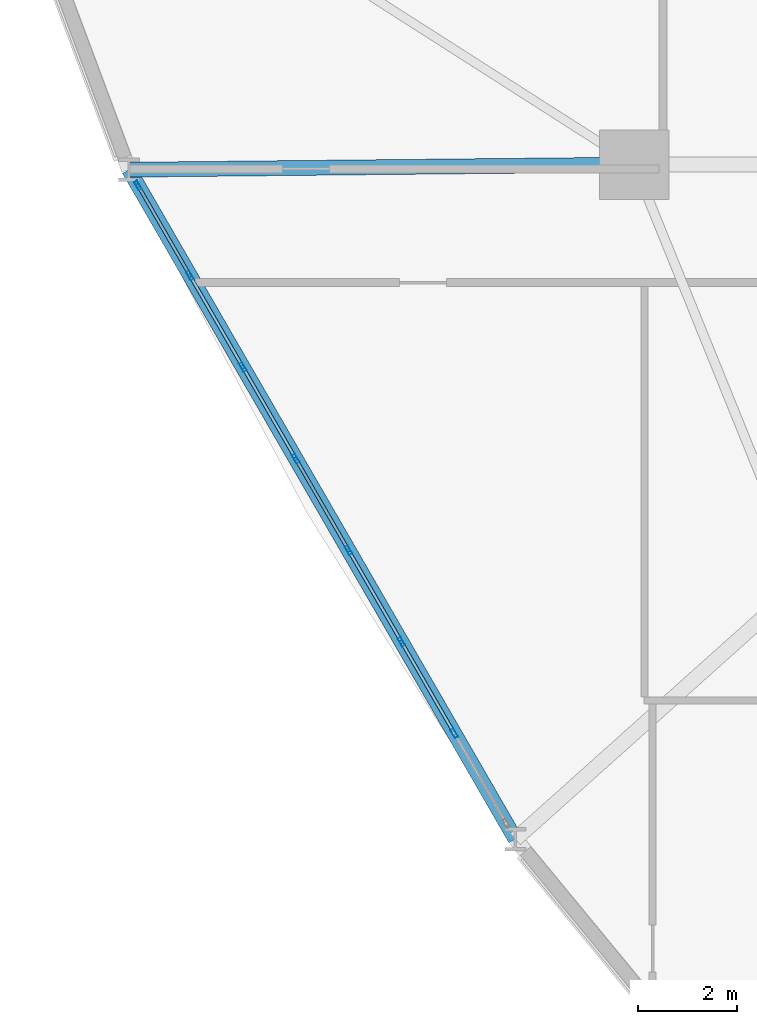
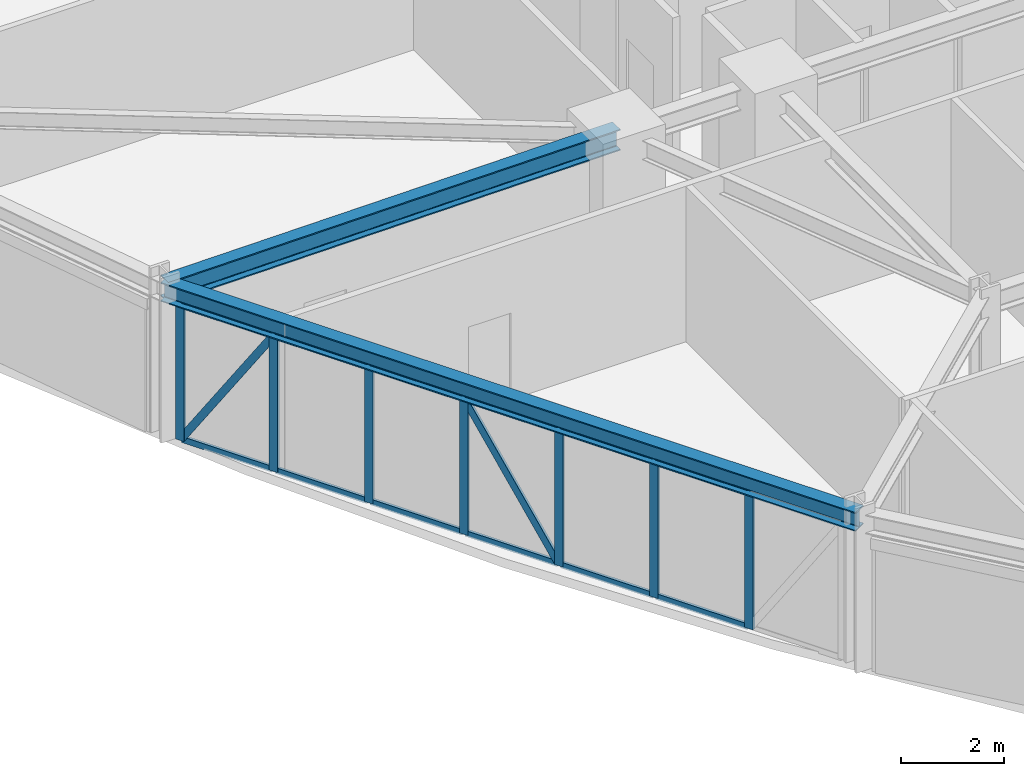
# One storey, part 4 of 22: 21 members, 2 beams, 1 element without a shape of its own.
"""IFC4 building model written with IfcOpenShell, lengths in metres."""

from ifc_helpers import new_model, si_unit, derived_unit, direction, frame, origin, origin_2d, place, context, subcontext, project, spatial, hollow_rectangle, i_section, extrude, source, transform, mapped, material, layer, layer_set, material_profile, profile_set, type_object, element, aggregate, save


model = new_model("IFC4")

# Units and contexts
model_context = context("Model", 3, precision=1e-05, world=origin(), true_north=direction((0.0, 1.0)))
body_context = subcontext(model_context, "Body", "Model", "MODEL_VIEW")
ifc_project = project(units=[si_unit("LENGTHUNIT", "METRE"), si_unit("AREAUNIT", "SQUARE_METRE"), si_unit("VOLUMEUNIT", "CUBIC_METRE"), si_unit("PLANEANGLEUNIT", "RADIAN"), si_unit("MASSUNIT", "GRAM", prefix="KILO"), derived_unit("THERMALTRANSMITTANCEUNIT", [(si_unit("POWERUNIT", "WATT"), 1), (si_unit("LENGTHUNIT", "METRE"), -2), (si_unit("THERMODYNAMICTEMPERATUREUNIT", "KELVIN"), -1)])], contexts=[model_context])

# Site, building, storey
site_placement = place(None, origin())
site = spatial("IfcSite", under=ifc_project, at=site_placement, CompositionType="ELEMENT")
building_placement = place(site_placement, origin())
building = spatial("IfcBuilding", under=site, at=building_placement, Name="Korsvarv Bourse and Concert Hall", CompositionType="ELEMENT")
storey_placement = place(building_placement, frame((0.0, 0.0, 51.300048828125)))
storey = spatial("IfcBuildingStorey", under=building, at=storey_placement, Name="L12", CompositionType="ELEMENT", Elevation=51.300048828125)

# Beams
ifc_material_1 = material(Name="Steel S355", Category="steel")
ifc_material_profile_1 = material_profile(ifc_material_1, i_section(OverallWidth=0.300048828125, OverallDepth=0.449951171875, WebThickness=0.013916015625, FlangeThickness=0.02587890625, FilletRadius=0.02099609375, at=origin_2d()), Name="HEB 450")
ifc_profile_set_1 = profile_set([ifc_material_profile_1], Name="Steel S355")
beam_type_1 = type_object("IfcBeamType", Name="BM-HEB450", PredefinedType="SPANDREL", material=ifc_profile_set_1)
shared_shape_1 = source(origin(), body_context, "Body", "SweptSolid", [
    extrude(i_section(OverallWidth=0.300048828125, OverallDepth=0.449951171875, WebThickness=0.013916015625, FlangeThickness=0.02587890625, FilletRadius=0.02099609375, at=origin_2d()), origin(), (0.0, 0.0, 1.0), 15.569580078125),
])
beam_1_placement = place(storey_placement, frame((14.016845703125, 32.297119140625, 3.454833984375), z_axis=(0.499994378262, -0.866028649472, 0.0), x_axis=(0.866028649472, 0.499994378262, 0.0)))
element("IfcBeam", 1, at=beam_1_placement, inside=storey, type_object=beam_type_1, Name="L12 beam B-08", PredefinedType="SPANDREL", context=body_context, shape_type="MappedRepresentation", body=[
    mapped(shared_shape_1, transform((0.0, 0.0, 0.0), scale=1.0)),
])
ifc_material_profile_2 = material_profile(ifc_material_1, i_section(OverallWidth=0.300048828125, OverallDepth=0.5, WebThickness=0.014404296875, FlangeThickness=0.028076171875, FilletRadius=0.02392578125, at=origin_2d()), Name="HEB 500")
ifc_profile_set_2 = profile_set([ifc_material_profile_2], Name="Steel S355")
beam_type_2 = type_object("IfcBeamType", Name="BM-HEB500", PredefinedType="BEAM", material=ifc_profile_set_2)
shared_shape_2 = source(origin(), body_context, "Body", "SweptSolid", [
    extrude(i_section(OverallWidth=0.300048828125, OverallDepth=0.5, WebThickness=0.014404296875, FlangeThickness=0.028076171875, FilletRadius=0.02392578125, at=origin_2d()), origin(), (0.0, 0.0, 1.0), 10.18359375),
])
beam_2_placement = place(storey_placement, frame((14.016845703125, 32.297119140625, 3.429931640625), z_axis=(0.999949064493, 0.010092988639, 0.0), x_axis=(-0.010092988639, 0.999949064493, 0.0)))
element("IfcBeam", 2, at=beam_2_placement, inside=storey, type_object=beam_type_2, Name="L12 beam B-07", PredefinedType="BEAM", context=body_context, shape_type="MappedRepresentation", body=[
    mapped(shared_shape_2, transform((0.0, 0.0, 0.0), scale=1.0)),
])

# Curtain wall, members
ifc_material_2 = material(Name="Anodised aluminium and triple low-E glazing", Category="glass")
ifc_layer = layer(ifc_material_2, 0.219970703125)
ifc_layer_set = layer_set([ifc_layer], Name="Anodised aluminium and triple low-E glazing")
curtain_wall_type = type_object("IfcCurtainWallType", Name="CW-SYS-1", PredefinedType="NOTDEFINED", material=ifc_layer_set)
curtain_wall_placement = place(storey_placement, origin())
curtain_wall = element("IfcCurtainWall", 3, at=curtain_wall_placement, inside=storey, type_object=curtain_wall_type, Name="L12 CW1 curtain wall CW-L12-F07", PredefinedType="NOTDEFINED")
ifc_material_3 = material(Name="Extruded aluminium EN AW-6063 T66", Category="aluminium")
ifc_material_profile_3 = material_profile(ifc_material_3, hollow_rectangle(XDim=0.070068359375, YDim=0.18994140625, WallThickness=0.0048828125, at=origin_2d()), Name="ALU-M 70x190")
ifc_profile_set_3 = profile_set([ifc_material_profile_3], Name="Extruded aluminium EN AW-6063 T66")
member_type_1 = type_object("IfcMemberType", Name="CWM-190", PredefinedType="MULLION", material=ifc_profile_set_3)
shared_shape_3 = source(origin(), body_context, "Body", "SweptSolid", [
    extrude(hollow_rectangle(XDim=0.070068359375, YDim=0.18994140625, WallThickness=0.0048828125, at=origin_2d()), origin(), (0.0, 0.0, 1.0), 3.22998046875),
])
member_1_placement = place(storey_placement, frame((14.199951171875, 31.979736328125, 0.0), z_axis=(0.0, 0.0, 1.0), x_axis=(0.866025499647, 0.499999833962, 0.0)))
member_1 = element("IfcMember", 4, at=member_1_placement, type_object=member_type_1, Name="CW1 mullion 1", PredefinedType="MULLION", context=body_context, shape_type="MappedRepresentation", body=[
    mapped(shared_shape_3, transform((0.0, 0.0, 0.0), scale=1.0)),
])
member_2_placement = place(storey_placement, frame((15.247314453125, 30.165771484375, 0.0), z_axis=(0.0, 0.0, 1.0), x_axis=(0.866025499647, 0.499999833962, 0.0)))
member_2 = element("IfcMember", 5, at=member_2_placement, type_object=member_type_1, Name="CW1 mullion 2", PredefinedType="MULLION", context=body_context, shape_type="MappedRepresentation", body=[
    mapped(shared_shape_3, transform((0.0, 0.0, 0.0), scale=1.0)),
])
member_3_placement = place(storey_placement, frame((16.31201171875, 28.321533203125, 0.0), z_axis=(0.0, 0.0, 1.0), x_axis=(0.866025499647, 0.499999833962, 0.0)))
member_3 = element("IfcMember", 6, at=member_3_placement, type_object=member_type_1, Name="CW1 mullion 3", PredefinedType="MULLION", context=body_context, shape_type="MappedRepresentation", body=[
    mapped(shared_shape_3, transform((0.0, 0.0, 0.0), scale=1.0)),
])
member_4_placement = place(storey_placement, frame((17.376708984375, 26.477294921875, 0.0), z_axis=(0.0, 0.0, 1.0), x_axis=(0.866025499647, 0.499999833962, 0.0)))
member_4 = element("IfcMember", 7, at=member_4_placement, type_object=member_type_1, Name="CW1 mullion 4", PredefinedType="MULLION", context=body_context, shape_type="MappedRepresentation", body=[
    mapped(shared_shape_3, transform((0.0, 0.0, 0.0), scale=1.0)),
])
member_5_placement = place(storey_placement, frame((18.441650390625, 24.633056640625, 0.0), z_axis=(0.0, 0.0, 1.0), x_axis=(0.866025499647, 0.499999833962, 0.0)))
member_5 = element("IfcMember", 8, at=member_5_placement, type_object=member_type_1, Name="CW1 mullion 5", PredefinedType="MULLION", context=body_context, shape_type="MappedRepresentation", body=[
    mapped(shared_shape_3, transform((0.0, 0.0, 0.0), scale=1.0)),
])
member_6_placement = place(storey_placement, frame((19.50634765625, 22.788818359375, 0.0), z_axis=(0.0, 0.0, 1.0), x_axis=(0.866025499647, 0.499999833962, 0.0)))
member_6 = element("IfcMember", 9, at=member_6_placement, type_object=member_type_1, Name="CW1 mullion 6", PredefinedType="MULLION", context=body_context, shape_type="MappedRepresentation", body=[
    mapped(shared_shape_3, transform((0.0, 0.0, 0.0), scale=1.0)),
])
member_7_placement = place(storey_placement, frame((20.571044921875, 20.94482421875, 0.0), z_axis=(0.0, 0.0, 1.0), x_axis=(0.866025499647, 0.499999833962, 0.0)))
member_7 = element("IfcMember", 10, at=member_7_placement, type_object=member_type_1, Name="CW1 mullion 7", PredefinedType="MULLION", context=body_context, shape_type="MappedRepresentation", body=[
    mapped(shared_shape_3, transform((0.0, 0.0, 0.0), scale=1.0)),
])
ifc_material_profile_4 = material_profile(ifc_material_3, hollow_rectangle(XDim=0.06494140625, YDim=0.139892578125, WallThickness=0.00390625, at=origin_2d()), Name="ALU-T 65x140")
ifc_profile_set_4 = profile_set([ifc_material_profile_4], Name="Extruded aluminium EN AW-6063 T66")
member_type_2 = type_object("IfcMemberType", Name="CWT-140", PredefinedType="USERDEFINED", material=ifc_profile_set_4)
shared_shape_4 = source(origin(), body_context, "Body", "SweptSolid", [
    extrude(hollow_rectangle(XDim=0.06494140625, YDim=0.139892578125, WallThickness=0.00390625, at=origin_2d()), origin(), (0.0, 0.0, 1.0), 2.024658203125),
])
member_8_placement = place(storey_placement, frame((14.217529296875, 31.949462890625, 0.032470703125), z_axis=(0.499952099219, -0.866053057547, 0.0), x_axis=(0.866053057547, 0.499952099219, 0.0)))
member_8 = element("IfcMember", 11, at=member_8_placement, type_object=member_type_2, Name="CW1 transom 1.1", ObjectType="TRANSOM", PredefinedType="USERDEFINED", context=body_context, shape_type="MappedRepresentation", body=[
    mapped(shared_shape_4, transform((0.0, 0.0, 0.0), scale=1.0)),
])
member_9_placement = place(storey_placement, frame((14.217529296875, 31.949462890625, 3.197509765625), z_axis=(0.499952099219, -0.866053057547, 0.0), x_axis=(0.866053057547, 0.499952099219, 0.0)))
member_9 = element("IfcMember", 12, at=member_9_placement, type_object=member_type_2, Name="CW1 transom 1.2", ObjectType="TRANSOM", PredefinedType="USERDEFINED", context=body_context, shape_type="MappedRepresentation", body=[
    mapped(shared_shape_4, transform((0.0, 0.0, 0.0), scale=1.0)),
])
shared_shape_5 = source(origin(), body_context, "Body", "SweptSolid", [
    extrude(hollow_rectangle(XDim=0.06494140625, YDim=0.139892578125, WallThickness=0.00390625, at=origin_2d()), origin(), (0.0, 0.0, 1.0), 2.0595703125),
])
member_10_placement = place(storey_placement, frame((15.2646484375, 30.135498046875, 0.032470703125), z_axis=(0.499989236795, -0.866031617834, 0.0), x_axis=(0.866031617834, 0.499989236795, 0.0)))
member_10 = element("IfcMember", 13, at=member_10_placement, type_object=member_type_2, Name="CW1 transom 2.1", ObjectType="TRANSOM", PredefinedType="USERDEFINED", context=body_context, shape_type="MappedRepresentation", body=[
    mapped(shared_shape_5, transform((0.0, 0.0, 0.0), scale=1.0)),
])
member_11_placement = place(storey_placement, frame((15.2646484375, 30.135498046875, 3.197509765625), z_axis=(0.499989236795, -0.866031617834, 0.0), x_axis=(0.866031617834, 0.499989236795, 0.0)))
member_11 = element("IfcMember", 14, at=member_11_placement, type_object=member_type_2, Name="CW1 transom 2.2", ObjectType="TRANSOM", PredefinedType="USERDEFINED", context=body_context, shape_type="MappedRepresentation", body=[
    mapped(shared_shape_5, transform((0.0, 0.0, 0.0), scale=1.0)),
])
member_12_placement = place(storey_placement, frame((16.32958984375, 28.291259765625, 0.032470703125), z_axis=(0.499989236795, -0.866031617834, 0.0), x_axis=(0.866031617834, 0.499989236795, 0.0)))
member_12 = element("IfcMember", 15, at=member_12_placement, type_object=member_type_2, Name="CW1 transom 3.1", ObjectType="TRANSOM", PredefinedType="USERDEFINED", context=body_context, shape_type="MappedRepresentation", body=[
    mapped(shared_shape_5, transform((0.0, 0.0, 0.0), scale=1.0)),
])
member_13_placement = place(storey_placement, frame((16.32958984375, 28.291259765625, 3.197509765625), z_axis=(0.499989236795, -0.866031617834, 0.0), x_axis=(0.866031617834, 0.499989236795, 0.0)))
member_13 = element("IfcMember", 16, at=member_13_placement, type_object=member_type_2, Name="CW1 transom 3.2", ObjectType="TRANSOM", PredefinedType="USERDEFINED", context=body_context, shape_type="MappedRepresentation", body=[
    mapped(shared_shape_5, transform((0.0, 0.0, 0.0), scale=1.0)),
])
shared_shape_6 = source(origin(), body_context, "Body", "SweptSolid", [
    extrude(hollow_rectangle(XDim=0.06494140625, YDim=0.139892578125, WallThickness=0.00390625, at=origin_2d()), origin(), (0.0, 0.0, 1.0), 2.059326171875),
])
member_14_placement = place(storey_placement, frame((17.394287109375, 26.447021484375, 0.032470703125), z_axis=(0.500040568494, -0.866001980287, 0.0), x_axis=(0.866001980287, 0.500040568494, 0.0)))
member_14 = element("IfcMember", 17, at=member_14_placement, type_object=member_type_2, Name="CW1 transom 4.1", ObjectType="TRANSOM", PredefinedType="USERDEFINED", context=body_context, shape_type="MappedRepresentation", body=[
    mapped(shared_shape_6, transform((0.0, 0.0, 0.0), scale=1.0)),
])
member_15_placement = place(storey_placement, frame((17.394287109375, 26.447021484375, 3.197509765625), z_axis=(0.500040568494, -0.866001980287, 0.0), x_axis=(0.866001980287, 0.500040568494, 0.0)))
member_15 = element("IfcMember", 18, at=member_15_placement, type_object=member_type_2, Name="CW1 transom 4.2", ObjectType="TRANSOM", PredefinedType="USERDEFINED", context=body_context, shape_type="MappedRepresentation", body=[
    mapped(shared_shape_6, transform((0.0, 0.0, 0.0), scale=1.0)),
])
member_16_placement = place(storey_placement, frame((18.458984375, 24.602783203125, 0.032470703125), z_axis=(0.500040568494, -0.866001980287, 0.0), x_axis=(0.866001980287, 0.500040568494, 0.0)))
member_16 = element("IfcMember", 19, at=member_16_placement, type_object=member_type_2, Name="CW1 transom 5.1", ObjectType="TRANSOM", PredefinedType="USERDEFINED", context=body_context, shape_type="MappedRepresentation", body=[
    mapped(shared_shape_6, transform((0.0, 0.0, 0.0), scale=1.0)),
])
member_17_placement = place(storey_placement, frame((18.458984375, 24.602783203125, 3.197509765625), z_axis=(0.500040568494, -0.866001980287, 0.0), x_axis=(0.866001980287, 0.500040568494, 0.0)))
member_17 = element("IfcMember", 20, at=member_17_placement, type_object=member_type_2, Name="CW1 transom 5.2", ObjectType="TRANSOM", PredefinedType="USERDEFINED", context=body_context, shape_type="MappedRepresentation", body=[
    mapped(shared_shape_6, transform((0.0, 0.0, 0.0), scale=1.0)),
])
member_18_placement = place(storey_placement, frame((19.523681640625, 22.758544921875, 0.032470703125), z_axis=(0.500040568494, -0.866001980287, 0.0), x_axis=(0.866001980287, 0.500040568494, 0.0)))
member_18 = element("IfcMember", 21, at=member_18_placement, type_object=member_type_2, Name="CW1 transom 6.1", ObjectType="TRANSOM", PredefinedType="USERDEFINED", context=body_context, shape_type="MappedRepresentation", body=[
    mapped(shared_shape_6, transform((0.0, 0.0, 0.0), scale=1.0)),
])
member_19_placement = place(storey_placement, frame((19.523681640625, 22.758544921875, 3.197509765625), z_axis=(0.500040568494, -0.866001980287, 0.0), x_axis=(0.866001980287, 0.500040568494, 0.0)))
member_19 = element("IfcMember", 22, at=member_19_placement, type_object=member_type_2, Name="CW1 transom 6.2", ObjectType="TRANSOM", PredefinedType="USERDEFINED", context=body_context, shape_type="MappedRepresentation", body=[
    mapped(shared_shape_6, transform((0.0, 0.0, 0.0), scale=1.0)),
])
ifc_material_profile_5 = material_profile(ifc_material_3, hollow_rectangle(XDim=0.06494140625, YDim=0.1650390625, WallThickness=0.0048828125, at=origin_2d()), Name="ALU-M 65x165")
ifc_profile_set_5 = profile_set([ifc_material_profile_5], Name="Extruded aluminium EN AW-6063 T66")
member_type_3 = type_object("IfcMemberType", Name="CWM-165", PredefinedType="MULLION", material=ifc_profile_set_5)
shared_shape_7 = source(origin(), body_context, "Body", "SweptSolid", [
    extrude(hollow_rectangle(XDim=0.06494140625, YDim=0.1650390625, WallThickness=0.0048828125, at=origin_2d()), origin(), (0.0, 0.0, 1.0), 3.7216796875),
])
member_20_placement = place(storey_placement, frame((18.424072265625, 24.66357421875, 0.06494140625), z_axis=(-0.276690565279, 0.479190274862, 0.832957989075), x_axis=(-0.866001980287, -0.500040568494, 0.0)))
member_20 = element("IfcMember", 23, at=member_20_placement, type_object=member_type_3, Name="CW1 diagonal mullion 4", PredefinedType="MULLION", context=body_context, shape_type="MappedRepresentation", body=[
    mapped(shared_shape_7, transform((0.0, 0.0, 0.0), scale=1.0)),
])
shared_shape_8 = source(origin(), body_context, "Body", "SweptSolid", [
    extrude(hollow_rectangle(XDim=0.06494140625, YDim=0.1650390625, WallThickness=0.0048828125, at=origin_2d()), origin(), (0.0, 0.0, 1.0), 3.70263671875),
])
member_21_placement = place(storey_placement, frame((14.217529296875, 31.949462890625, 0.06494140625), z_axis=(0.273373412997, -0.473557127869, 0.837263771885), x_axis=(0.866053057547, 0.499952099219, 0.0)))
member_21 = element("IfcMember", 24, at=member_21_placement, type_object=member_type_3, Name="CW1 diagonal mullion 1", PredefinedType="MULLION", context=body_context, shape_type="MappedRepresentation", body=[
    mapped(shared_shape_8, transform((0.0, 0.0, 0.0), scale=1.0)),
])
aggregate(curtain_wall, [member_1, member_2, member_3, member_4, member_5, member_6, member_7, member_8, member_9, member_21, member_10, member_11, member_12, member_13, member_14, member_15, member_20, member_16, member_17, member_18, member_19])

save(model, "model.ifc")
